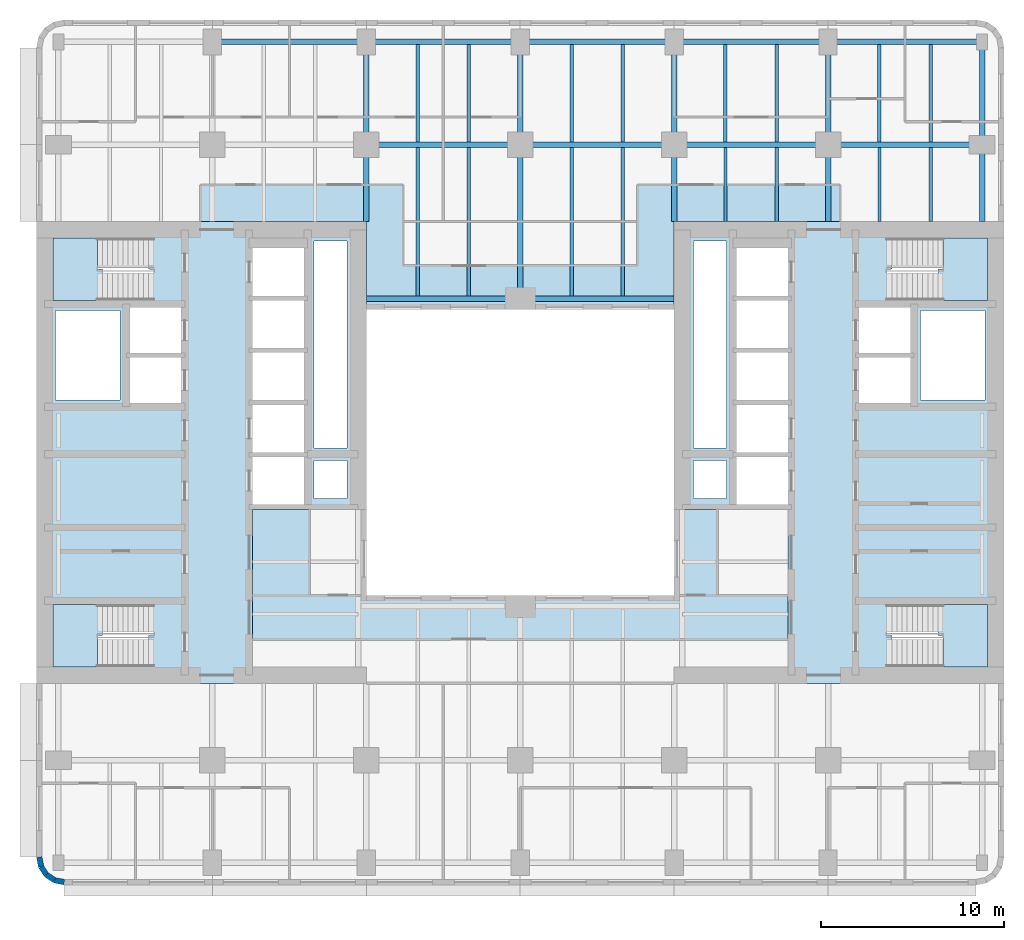
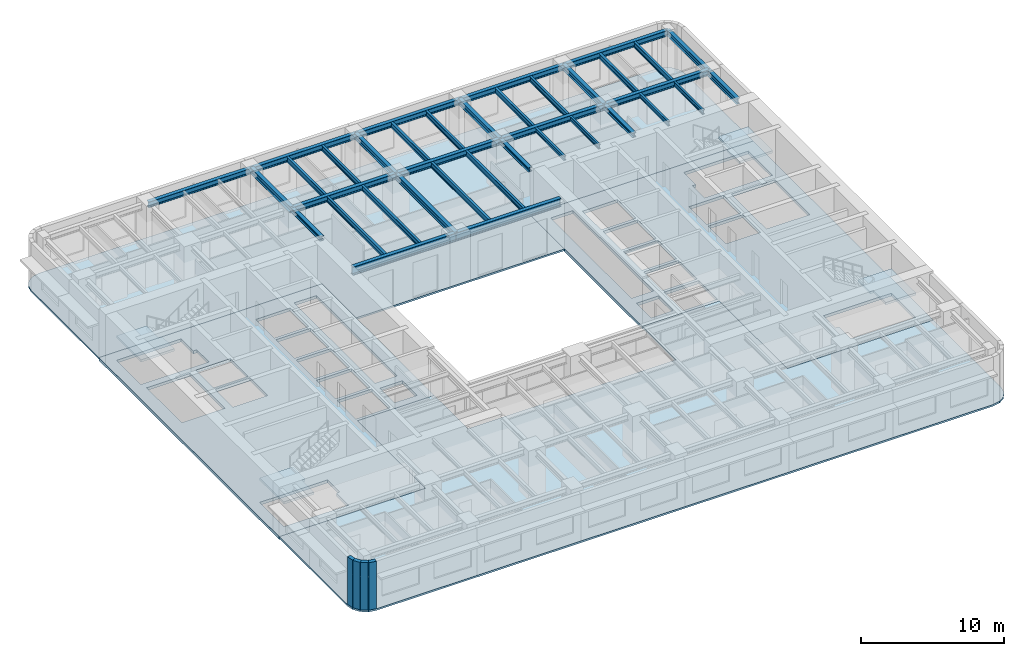
# One storey, part 2 of 11: 37 beams, 8 slabs, 4 walls, 4 elements without a shape of their own.
"""IFC4 building model written with IfcOpenShell, lengths in metres."""

import ifcopenshell
import ifcopenshell.guid

model = None  # the IFC model being written
_history = None  # IfcOwnerHistory: only IFC2X3 demands one
_inside = {}  # id of a spatial element -> (the spatial element, [elements in it])
_under = {}  # id of a project, library or spatial element -> (it, [spatial elements below it])
_declared = {}  # id of a project -> (the project, [libraries it declares])
_typed = {}  # id of a type object -> (the type object, [elements of that type])
_made_of = {}  # id of a material, layer set ... -> (it, [elements and type objects made of it])


def new_model(schema):
    """Start an empty IFC model of exactly this schema.

    Asked for "IFC4X3", IfcOpenShell would pick the latest addendum, in which some entities
    have other attributes; the version numbers below select the first issue.
    IFC2X3 requires an IfcOwnerHistory on every rooted entity: one is made here for all.
    """
    global model, _history
    if schema == "IFC4X3":
        model = ifcopenshell.file(schema_version=(4, 3, 0, 0))
    else:
        model = ifcopenshell.file(schema=schema)
    _inside.clear()
    _under.clear()
    _declared.clear()
    _typed.clear()
    _made_of.clear()
    _history = None
    if model.schema == "IFC2X3":
        org = make("IfcOrganization", Name="unknown")
        user = make(
            "IfcPersonAndOrganization",
            ThePerson=make("IfcPerson", FamilyName="unknown"),
            TheOrganization=org,
        )
        app = make(
            "IfcApplication",
            ApplicationDeveloper=org,
            Version="unknown",
            ApplicationFullName="unknown",
            ApplicationIdentifier="unknown",
        )
        _history = make(
            "IfcOwnerHistory",
            OwningUser=user,
            OwningApplication=app,
            ChangeAction="ADDED",
            CreationDate=0,
        )
    return model


def make(cls, **values):
    """One entity of the class cls with the attributes given. An attribute that is None is left unset."""
    return model.create_entity(
        cls, **{name: value for name, value in values.items() if value is not None}
    )


def rooted(cls, **values):
    """An entity with a GlobalId (a new one), such as an element, a storey or a relation."""
    return make(cls, GlobalId=ifcopenshell.guid.new(), OwnerHistory=_history, **values)


def si_unit(unit_type, name, prefix=None):
    """IfcSIUnit, for example si_unit("LENGTHUNIT", "METRE", prefix="MILLI")."""
    return make("IfcSIUnit", UnitType=unit_type, Prefix=prefix, Name=name)


def assignment(units):
    """IfcUnitAssignment: the units of a project."""
    return None if units is None else make("IfcUnitAssignment", Units=units)


def point(xyz):
    """IfcCartesianPoint."""
    return None if xyz is None else make("IfcCartesianPoint", Coordinates=xyz)


def direction(xyz):
    """IfcDirection."""
    return None if xyz is None else make("IfcDirection", DirectionRatios=xyz)


def frame(location, z_axis=None, x_axis=None):
    """IfcAxis2Placement3D, a coordinate frame: its origin and axes. An axis left out is left unset."""
    return make(
        "IfcAxis2Placement3D",
        Location=point(location),
        Axis=direction(z_axis),
        RefDirection=direction(x_axis),
    )


def frame_2d(location, x_axis=None):
    """IfcAxis2Placement2D, a coordinate frame in the plane: its origin and x axis."""
    return make(
        "IfcAxis2Placement2D", Location=point(location), RefDirection=direction(x_axis)
    )


def origin():
    """The frame at (0, 0, 0) with its axes left unset."""
    return frame((0.0, 0.0, 0.0))


def origin_2d():
    """The frame at (0, 0) in the plane with its x axis left unset."""
    return frame_2d((0.0, 0.0))


def place(relative_to, where):
    """IfcLocalPlacement: puts the frame where relative to a parent placement (None: the world)."""
    return make(
        "IfcLocalPlacement", PlacementRelTo=relative_to, RelativePlacement=where
    )


def context(
    kind, dimensions, precision=None, world=None, true_north=None, identifier=None
):
    """IfcGeometricRepresentationContext, for example the 3D "Model" context."""
    return make(
        "IfcGeometricRepresentationContext",
        ContextIdentifier=identifier,
        ContextType=kind,
        CoordinateSpaceDimension=dimensions,
        Precision=precision,
        WorldCoordinateSystem=world,
        TrueNorth=true_north,
    )


def subcontext(parent, identifier, kind, view, scale=None):
    """IfcGeometricRepresentationSubContext, for example "Body" below "Model"."""
    return make(
        "IfcGeometricRepresentationSubContext",
        ContextIdentifier=identifier,
        ContextType=kind,
        ParentContext=parent,
        TargetScale=scale,
        TargetView=view,
    )


def project(units=None, contexts=None):
    """IfcProject with its units and contexts."""
    return rooted(
        "IfcProject",
        Name="project",
        RepresentationContexts=contexts,
        UnitsInContext=assignment(units),
    )


def spatial(cls, under=None, at=None, **own):
    """A site, building, storey or space (cls), placed at a placement, below another one or the project."""
    s = rooted(cls, ObjectPlacement=at, **own)
    if under is not None:
        _under.setdefault(under.id(), (under, []))[1].append(s)
    return s


def polyline(points):
    """IfcPolyline through the points."""
    return make("IfcPolyline", Points=[point(p) for p in points])


def profile(cls, at=None, kind="AREA", **sizes):
    """A parametric profile (cls). Its sizes go by their IFC names, for example OverallWidth=200.0."""
    return make(cls, ProfileType=kind, Position=at, **sizes)


def rectangle(**sizes):
    """IfcRectangleProfileDef."""
    return profile("IfcRectangleProfileDef", **sizes)


def i_section(**sizes):
    """IfcIShapeProfileDef."""
    return profile("IfcIShapeProfileDef", **sizes)


def outline(outer, holes=None, kind="AREA"):
    """IfcArbitraryClosedProfileDef: a profile drawn as a closed curve; with holes, ...WithVoids."""
    if holes is None:
        return make("IfcArbitraryClosedProfileDef", ProfileType=kind, OuterCurve=outer)
    return make(
        "IfcArbitraryProfileDefWithVoids",
        ProfileType=kind,
        OuterCurve=outer,
        InnerCurves=holes,
    )


def extrude(swept, where, along, depth):
    """IfcExtrudedAreaSolid: the profile swept, set in the frame where, extruded along a direction by depth."""
    return make(
        "IfcExtrudedAreaSolid",
        SweptArea=swept,
        Position=where,
        ExtrudedDirection=direction(along),
        Depth=depth,
    )


def shape(context_of_items, identifier, shape_type, items):
    """IfcShapeRepresentation: the items that make up one representation, for example the "Body"."""
    return make(
        "IfcShapeRepresentation",
        ContextOfItems=context_of_items,
        RepresentationIdentifier=identifier,
        RepresentationType=shape_type,
        Items=items,
    )


def material(Name=None, Category=None):
    """IfcMaterial."""
    return make("IfcMaterial", Name=Name, Category=Category)


def layer(
    of_material, thickness, ventilated=None, Name=None, Category=None, Priority=None
):
    """IfcMaterialLayer: one layer of a wall or slab, of a material (None: an air gap)."""
    return make(
        "IfcMaterialLayer",
        Material=of_material,
        LayerThickness=thickness,
        IsVentilated=ventilated,
        Name=Name,
        Category=Category,
        Priority=Priority,
    )


def layer_set(layers, Name=None):
    """IfcMaterialLayerSet."""
    return make("IfcMaterialLayerSet", MaterialLayers=layers, LayerSetName=Name)


def material_profile(
    of_material, cross_section, Name=None, Category=None, Priority=None
):
    """IfcMaterialProfile: a cross section and its material."""
    return make(
        "IfcMaterialProfile",
        Name=Name,
        Material=of_material,
        Profile=cross_section,
        Priority=Priority,
        Category=Category,
    )


def profile_set(profiles, Name=None, composite=None):
    """IfcMaterialProfileSet."""
    return make(
        "IfcMaterialProfileSet",
        Name=Name,
        MaterialProfiles=profiles,
        CompositeProfile=composite,
    )


def made_of(thing, what):
    """Note that an element or type object is made of a material, layer set ...; save() writes the relation."""
    if what is not None:
        _made_of.setdefault(what.id(), (what, []))[1].append(thing)
    return thing


def type_object(cls, material=None, **own):
    """A type object (cls), such as IfcWallType, which elements share."""
    return made_of(rooted(cls, **own), material)


def element(
    cls,
    number,
    at=None,
    inside=None,
    cuts=None,
    type_object=None,
    material=None,
    context=None,
    identifier="Body",
    shape_type=None,
    held_by="IfcProductDefinitionShape",
    body=None,
    shapes=None,
    **own,
):
    """One element of the class cls, such as IfcWall. Its Tag is "e" and its number.

    at: its placement. inside: the storey or other place that contains it. cuts: it is an
    opening in that element (IfcRelVoidsElement). A single representation is given by context,
    identifier, shape_type and body (its items); several are given by shapes. held_by: the class
    of the entity that holds the representations. save() writes the other relations.
    """
    e = rooted(cls, Tag="e%d" % number, ObjectPlacement=at, **own)
    if body is not None:
        shapes = [shape(context, identifier, shape_type, body)]
    if shapes is not None:
        e.Representation = make(held_by, Representations=shapes)
    if inside is not None:
        _inside.setdefault(inside.id(), (inside, []))[1].append(e)
    if cuts is not None:
        rooted(
            "IfcRelVoidsElement", RelatingBuildingElement=cuts, RelatedOpeningElement=e
        )
    if type_object is not None:
        _typed.setdefault(type_object.id(), (type_object, []))[1].append(e)
    return made_of(e, material)


def aggregate(whole, parts):
    """IfcRelAggregates: a whole, such as a stair, and the parts it consists of."""
    return rooted("IfcRelAggregates", RelatingObject=whole, RelatedObjects=parts)


def save(model, path):
    """Write the relations noted so far, then the file.

    IfcRelAggregates (storeys below a building ...), IfcRelContainedInSpatialStructure (elements
    in a storey), IfcRelDefinesByType, IfcRelAssociatesMaterial and IfcRelDeclares: one each for
    every whole, place, type object, material and project.
    """
    for whole, parts in _under.values():
        aggregate(whole, parts)
    for where, things in _inside.values():
        rooted(
            "IfcRelContainedInSpatialStructure",
            RelatedElements=things,
            RelatingStructure=where,
        )
    for kind, things in _typed.values():
        rooted("IfcRelDefinesByType", RelatedObjects=things, RelatingType=kind)
    for what, things in _made_of.values():
        rooted("IfcRelAssociatesMaterial", RelatedObjects=things, RelatingMaterial=what)
    for by, libraries in _declared.values():
        rooted("IfcRelDeclares", RelatingContext=by, RelatedDefinitions=libraries)
    model.write(path)


model = new_model("IFC4")

# Units and contexts
model_context = context("Model", 3, precision=1e-05, world=origin(), true_north=direction((0.0, 1.0)))
body_context = subcontext(model_context, "Body", "Model", "MODEL_VIEW")
ifc_project = project(units=[si_unit("LENGTHUNIT", "METRE"), si_unit("AREAUNIT", "SQUARE_METRE"), si_unit("VOLUMEUNIT", "CUBIC_METRE"), si_unit("PLANEANGLEUNIT", "RADIAN"), si_unit("MASSUNIT", "GRAM", prefix="KILO")], contexts=[model_context])

# Site, building, storey
site_placement = place(None, origin())
site = spatial("IfcSite", under=ifc_project, at=site_placement, CompositionType="ELEMENT")
building_placement = place(site_placement, origin())
building = spatial("IfcBuilding", under=site, at=building_placement, Name="Claustro Exchange Tower", CompositionType="ELEMENT")
storey_placement = place(building_placement, frame((0.0, 0.0, 142.800048828125)))
storey = spatial("IfcBuildingStorey", under=building, at=storey_placement, Name="L32", CompositionType="ELEMENT", Elevation=142.800048828125)

# Beams
ifc_material_1 = material(Name="Steel S355", Category="steel")
ifc_material_profile_1 = material_profile(ifc_material_1, i_section(OverallWidth=0.300048828125, OverallDepth=0.68994140625, WebThickness=0.014404296875, FlangeThickness=0.027099609375, FilletRadius=0.027099609375, at=origin_2d()), Name="HE 700 A")
ifc_profile_set_1 = profile_set([ifc_material_profile_1], Name="Steel S355")
beam_type_1 = type_object("IfcBeamType", Name="B13 HE 700 A light well edge girder", PredefinedType="BEAM", material=ifc_profile_set_1)
beam_1_placement = place(storey_placement, frame((16.800048828125, 33.60009765625, 3.704833984375), z_axis=(1.0, 0.0, 0.0), x_axis=(0.0, 1.0, 0.0)))
element("IfcBeam", 1, at=beam_1_placement, inside=storey, type_object=beam_type_1, Name="Beam B13 L33", PredefinedType="BEAM", context=body_context, shape_type="SweptSolid", body=[
    extrude(i_section(OverallWidth=0.300048828125, OverallDepth=0.68994140625, WebThickness=0.014404296875, FlangeThickness=0.027099609375, FilletRadius=0.027099609375, at=origin_2d()), origin(), (0.0, 0.0, 1.0), 8.39990234375),
])
beam_2_placement = place(storey_placement, frame((25.199951171875, 33.60009765625, 3.704833984375), z_axis=(1.0, 0.0, 0.0), x_axis=(0.0, 1.0, 0.0)))
element("IfcBeam", 2, at=beam_2_placement, inside=storey, type_object=beam_type_1, Name="Beam B13 L33", PredefinedType="BEAM", context=body_context, shape_type="SweptSolid", body=[
    extrude(i_section(OverallWidth=0.300048828125, OverallDepth=0.68994140625, WebThickness=0.014404296875, FlangeThickness=0.027099609375, FilletRadius=0.027099609375, at=origin_2d()), origin(), (0.0, 0.0, 1.0), 8.400146484375),
])
ifc_material_2 = material(Name="Steel S355", Category="steel")
ifc_material_profile_2 = material_profile(ifc_material_2, i_section(OverallWidth=0.169921875, OverallDepth=0.360107421875, WebThickness=0.008056640625, FlangeThickness=0.0126953125, FilletRadius=0.01806640625, at=origin_2d()), Name="IPE 360")
ifc_profile_set_2 = profile_set([ifc_material_profile_2], Name="Steel S355")
beam_type_2 = type_object("IfcBeamType", Name="B16 IPE 360 short-span beam", PredefinedType="BEAM", material=ifc_profile_set_2)
for number, where, z_axis, x_axis, name in (
    (3, (36.39990234375, 37.7900390625, 3.869873046875), (0.0, 1.0, 0.0), (-1.0, 0.0, 0.0), "Beam B16 L33"),
    (4, (39.199951171875, 37.7900390625, 3.869873046875), (0.0, 1.0, 0.0), (-1.0, 0.0, 0.0), "Beam B16 L33"),
    (5, (44.800048828125, 37.7900390625, 3.869873046875), (0.0, 1.0, 0.0), (-1.0, 0.0, 0.0), "Beam B16 L33"),
    (6, (47.60009765625, 37.7900390625, 3.869873046875), (0.0, 1.0, 0.0), (-1.0, 0.0, 0.0), "Beam B16 L33"),
):
    element("IfcBeam", number, at=place(storey_placement, frame(where, z_axis=z_axis, x_axis=x_axis)), inside=storey, type_object=beam_type_2, Name=name, PredefinedType="BEAM", context=body_context, shape_type="SweptSolid", body=[
        extrude(i_section(OverallWidth=0.169921875, OverallDepth=0.360107421875, WebThickness=0.008056640625, FlangeThickness=0.0126953125, FilletRadius=0.01806640625, at=origin_2d()), origin(), (0.0, 0.0, 1.0), 4.06005859375),
    ])
ifc_material_3 = material(Name="Steel S355", Category="steel")
ifc_material_profile_3 = material_profile(ifc_material_3, i_section(OverallWidth=0.300048828125, OverallDepth=0.360107421875, WebThickness=0.012451171875, FlangeThickness=0.0224609375, FilletRadius=0.027099609375, at=origin_2d()), Name="HE 360 B")
ifc_profile_set_3 = profile_set([ifc_material_profile_3], Name="Steel S355")
beam_type_3 = type_object("IfcBeamType", Name="B29 HE 360 B column to core link beam", PredefinedType="BEAM", material=ifc_profile_set_3)
for number, where, z_axis, x_axis, name in (
    (7, (16.800048828125, 37.800048828125, 3.869873046875), (0.0, 1.0, 0.0), (-1.0, 0.0, 0.0), "Beam B29 L33"),
    (8, (33.60009765625, 37.800048828125, 3.869873046875), (0.0, 1.0, 0.0), (-1.0, 0.0, 0.0), "Beam B29 L33"),
    (9, (42.0, 37.800048828125, 3.869873046875), (0.0, 1.0, 0.0), (-1.0, 0.0, 0.0), "Beam B29 L33"),
):
    element("IfcBeam", number, at=place(storey_placement, frame(where, z_axis=z_axis, x_axis=x_axis)), inside=storey, type_object=beam_type_3, Name=name, PredefinedType="BEAM", context=body_context, shape_type="SweptSolid", body=[
        extrude(i_section(OverallWidth=0.300048828125, OverallDepth=0.360107421875, WebThickness=0.012451171875, FlangeThickness=0.0224609375, FilletRadius=0.027099609375, at=origin_2d()), origin(), (0.0, 0.0, 1.0), 4.199951171875),
    ])
ifc_material_4 = material(Name="Steel S355", Category="steel")
ifc_material_profile_4 = material_profile(ifc_material_4, i_section(OverallWidth=0.300048828125, OverallDepth=0.5, WebThickness=0.014404296875, FlangeThickness=0.028076171875, FilletRadius=0.027099609375, at=origin_2d()), Name="HE 500 B")
ifc_profile_set_4 = profile_set([ifc_material_profile_4], Name="Steel S355")
beam_type_4 = type_object("IfcBeamType", Name="B7 HE 500 B floor girder", PredefinedType="BEAM", material=ifc_profile_set_4)
beam_3_placement = place(storey_placement, frame((16.800048828125, 42.0, 3.800048828125), z_axis=(0.0, 1.0, 0.0), x_axis=(-1.0, 0.0, 0.0)))
element("IfcBeam", 10, at=beam_3_placement, inside=storey, type_object=beam_type_4, Name="Beam B7 L33", PredefinedType="BEAM", context=body_context, shape_type="SweptSolid", body=[
    extrude(i_section(OverallWidth=0.300048828125, OverallDepth=0.5, WebThickness=0.014404296875, FlangeThickness=0.028076171875, FilletRadius=0.027099609375, at=origin_2d()), origin(), (0.0, 0.0, 1.0), 5.60009765625),
])
beam_4_placement = place(storey_placement, frame((25.199951171875, 33.60009765625, 3.800048828125), z_axis=(0.0, 1.0, 0.0), x_axis=(-1.0, 0.0, 0.0)))
element("IfcBeam", 11, at=beam_4_placement, inside=storey, type_object=beam_type_4, Name="Beam B7 L33", PredefinedType="BEAM", context=body_context, shape_type="SweptSolid", body=[
    extrude(i_section(OverallWidth=0.300048828125, OverallDepth=0.5, WebThickness=0.014404296875, FlangeThickness=0.028076171875, FilletRadius=0.027099609375, at=origin_2d()), origin(), (0.0, 0.0, 1.0), 8.39990234375),
])
for number, where, z_axis, x_axis, name in (
    (12, (25.199951171875, 42.0, 3.800048828125), (0.0, 1.0, 0.0), (-1.0, 0.0, 0.0), "Beam B7 L33"),
    (13, (33.60009765625, 42.0, 3.800048828125), (0.0, 1.0, 0.0), (-1.0, 0.0, 0.0), "Beam B7 L33"),
    (14, (42.0, 42.0, 3.800048828125), (0.0, 1.0, 0.0), (-1.0, 0.0, 0.0), "Beam B7 L33"),
):
    element("IfcBeam", number, at=place(storey_placement, frame(where, z_axis=z_axis, x_axis=x_axis)), inside=storey, type_object=beam_type_4, Name=name, PredefinedType="BEAM", context=body_context, shape_type="SweptSolid", body=[
        extrude(i_section(OverallWidth=0.300048828125, OverallDepth=0.5, WebThickness=0.014404296875, FlangeThickness=0.028076171875, FilletRadius=0.027099609375, at=origin_2d()), origin(), (0.0, 0.0, 1.0), 5.60009765625),
    ])
beam_5_placement = place(storey_placement, frame((16.800048828125, 42.0, 3.800048828125), z_axis=(1.0, 0.0, 0.0), x_axis=(0.0, 1.0, 0.0)))
element("IfcBeam", 15, at=beam_5_placement, inside=storey, type_object=beam_type_4, Name="Beam B7 L33", PredefinedType="BEAM", context=body_context, shape_type="SweptSolid", body=[
    extrude(i_section(OverallWidth=0.300048828125, OverallDepth=0.5, WebThickness=0.014404296875, FlangeThickness=0.028076171875, FilletRadius=0.027099609375, at=origin_2d()), origin(), (0.0, 0.0, 1.0), 8.39990234375),
])
beam_6_placement = place(storey_placement, frame((25.199951171875, 42.0, 3.800048828125), z_axis=(1.0, 0.0, 0.0), x_axis=(0.0, 1.0, 0.0)))
element("IfcBeam", 16, at=beam_6_placement, inside=storey, type_object=beam_type_4, Name="Beam B7 L33", PredefinedType="BEAM", context=body_context, shape_type="SweptSolid", body=[
    extrude(i_section(OverallWidth=0.300048828125, OverallDepth=0.5, WebThickness=0.014404296875, FlangeThickness=0.028076171875, FilletRadius=0.027099609375, at=origin_2d()), origin(), (0.0, 0.0, 1.0), 8.400146484375),
])
for number, where, z_axis, x_axis, name in (
    (17, (33.60009765625, 42.0, 3.800048828125), (1.0, 0.0, 0.0), (0.0, 1.0, 0.0), "Beam B7 L33"),
    (18, (42.0, 42.0, 3.800048828125), (1.0, 0.0, 0.0), (0.0, 1.0, 0.0), "Beam B7 L33"),
):
    element("IfcBeam", number, at=place(storey_placement, frame(where, z_axis=z_axis, x_axis=x_axis)), inside=storey, type_object=beam_type_4, Name=name, PredefinedType="BEAM", context=body_context, shape_type="SweptSolid", body=[
        extrude(i_section(OverallWidth=0.300048828125, OverallDepth=0.5, WebThickness=0.014404296875, FlangeThickness=0.028076171875, FilletRadius=0.027099609375, at=origin_2d()), origin(), (0.0, 0.0, 1.0), 8.39990234375),
    ])
ifc_material_5 = material(Name="Steel S355", Category="steel")
ifc_material_profile_5 = material_profile(ifc_material_5, i_section(OverallWidth=0.18994140625, OverallDepth=0.449951171875, WebThickness=0.009521484375, FlangeThickness=0.0146484375, FilletRadius=0.02099609375, at=origin_2d()), Name="IPE 450")
ifc_profile_set_5 = profile_set([ifc_material_profile_5], Name="Steel S355")
beam_type_5 = type_object("IfcBeamType", Name="B8 IPE 450 secondary beam", PredefinedType="BEAM", material=ifc_profile_set_5)
for number, where, z_axis, x_axis, name in (
    (19, (19.60009765625, 33.75, 3.824951171875), (0.0, 1.0, 0.0), (-1.0, 0.0, 0.0), "Beam B8 L33"),
    (20, (22.39990234375, 33.75, 3.824951171875), (0.0, 1.0, 0.0), (-1.0, 0.0, 0.0), "Beam B8 L33"),
):
    element("IfcBeam", number, at=place(storey_placement, frame(where, z_axis=z_axis, x_axis=x_axis)), inside=storey, type_object=beam_type_5, Name=name, PredefinedType="BEAM", context=body_context, shape_type="SweptSolid", body=[
        extrude(i_section(OverallWidth=0.18994140625, OverallDepth=0.449951171875, WebThickness=0.009521484375, FlangeThickness=0.0146484375, FilletRadius=0.02099609375, at=origin_2d()), origin(), (0.0, 0.0, 1.0), 8.10009765625),
    ])
for number, where, z_axis, x_axis, name in (
    (21, (19.60009765625, 42.14990234375, 3.824951171875), (0.0, 1.0, 0.0), (-1.0, 0.0, 0.0), "Beam B8 L33"),
    (22, (22.39990234375, 42.14990234375, 3.824951171875), (0.0, 1.0, 0.0), (-1.0, 0.0, 0.0), "Beam B8 L33"),
):
    element("IfcBeam", number, at=place(storey_placement, frame(where, z_axis=z_axis, x_axis=x_axis)), inside=storey, type_object=beam_type_5, Name=name, PredefinedType="BEAM", context=body_context, shape_type="SweptSolid", body=[
        extrude(i_section(OverallWidth=0.18994140625, OverallDepth=0.449951171875, WebThickness=0.009521484375, FlangeThickness=0.0146484375, FilletRadius=0.02099609375, at=origin_2d()), origin(), (0.0, 0.0, 1.0), 5.300048828125),
    ])
for number, where, z_axis, x_axis, name in (
    (23, (28.0, 33.75, 3.824951171875), (0.0, 1.0, 0.0), (-1.0, 0.0, 0.0), "Beam B8 L33"),
    (24, (30.800048828125, 33.75, 3.824951171875), (0.0, 1.0, 0.0), (-1.0, 0.0, 0.0), "Beam B8 L33"),
):
    element("IfcBeam", number, at=place(storey_placement, frame(where, z_axis=z_axis, x_axis=x_axis)), inside=storey, type_object=beam_type_5, Name=name, PredefinedType="BEAM", context=body_context, shape_type="SweptSolid", body=[
        extrude(i_section(OverallWidth=0.18994140625, OverallDepth=0.449951171875, WebThickness=0.009521484375, FlangeThickness=0.0146484375, FilletRadius=0.02099609375, at=origin_2d()), origin(), (0.0, 0.0, 1.0), 8.10009765625),
    ])
for number, where, z_axis, x_axis, name in (
    (25, (28.0, 42.14990234375, 3.824951171875), (0.0, 1.0, 0.0), (-1.0, 0.0, 0.0), "Beam B8 L33"),
    (26, (30.800048828125, 42.14990234375, 3.824951171875), (0.0, 1.0, 0.0), (-1.0, 0.0, 0.0), "Beam B8 L33"),
    (27, (36.39990234375, 42.14990234375, 3.824951171875), (0.0, 1.0, 0.0), (-1.0, 0.0, 0.0), "Beam B8 L33"),
    (28, (39.199951171875, 42.14990234375, 3.824951171875), (0.0, 1.0, 0.0), (-1.0, 0.0, 0.0), "Beam B8 L33"),
    (29, (44.800048828125, 42.14990234375, 3.824951171875), (0.0, 1.0, 0.0), (-1.0, 0.0, 0.0), "Beam B8 L33"),
    (30, (47.60009765625, 42.14990234375, 3.824951171875), (0.0, 1.0, 0.0), (-1.0, 0.0, 0.0), "Beam B8 L33"),
):
    element("IfcBeam", number, at=place(storey_placement, frame(where, z_axis=z_axis, x_axis=x_axis)), inside=storey, type_object=beam_type_5, Name=name, PredefinedType="BEAM", context=body_context, shape_type="SweptSolid", body=[
        extrude(i_section(OverallWidth=0.18994140625, OverallDepth=0.449951171875, WebThickness=0.009521484375, FlangeThickness=0.0146484375, FilletRadius=0.02099609375, at=origin_2d()), origin(), (0.0, 0.0, 1.0), 5.300048828125),
    ])
ifc_material_6 = material(Name="Steel S355", Category="steel")
ifc_material_profile_6 = material_profile(ifc_material_6, i_section(OverallWidth=0.300048828125, OverallDepth=0.489990234375, WebThickness=0.011962890625, FlangeThickness=0.02294921875, FilletRadius=0.027099609375, at=origin_2d()), Name="HE 500 A")
ifc_profile_set_6 = profile_set([ifc_material_profile_6], Name="Steel S355")
beam_type_6 = type_object("IfcBeamType", Name="B9 HE 500 A spandrel edge girder", PredefinedType="SPANDREL", material=ifc_profile_set_6)
beam_7_placement = place(storey_placement, frame((50.39990234375, 37.800048828125, 3.804931640625), z_axis=(0.0, 1.0, 0.0), x_axis=(-1.0, 0.0, 0.0)))
element("IfcBeam", 31, at=beam_7_placement, inside=storey, type_object=beam_type_6, Name="Beam B9 L33", PredefinedType="SPANDREL", context=body_context, shape_type="SweptSolid", body=[
    extrude(i_section(OverallWidth=0.300048828125, OverallDepth=0.489990234375, WebThickness=0.011962890625, FlangeThickness=0.02294921875, FilletRadius=0.027099609375, at=origin_2d()), origin(), (0.0, 0.0, 1.0), 4.199951171875),
])
beam_8_placement = place(storey_placement, frame((50.39990234375, 42.0, 3.804931640625), z_axis=(0.0, 1.0, 0.0), x_axis=(-1.0, 0.0, 0.0)))
element("IfcBeam", 32, at=beam_8_placement, inside=storey, type_object=beam_type_6, Name="Beam B9 L33", PredefinedType="SPANDREL", context=body_context, shape_type="SweptSolid", body=[
    extrude(i_section(OverallWidth=0.300048828125, OverallDepth=0.489990234375, WebThickness=0.011962890625, FlangeThickness=0.02294921875, FilletRadius=0.027099609375, at=origin_2d()), origin(), (0.0, 0.0, 1.0), 5.60009765625),
])
beam_9_placement = place(storey_placement, frame((8.39990234375, 47.60009765625, 3.804931640625), z_axis=(1.0, 0.0, 0.0), x_axis=(0.0, 1.0, 0.0)))
element("IfcBeam", 33, at=beam_9_placement, inside=storey, type_object=beam_type_6, Name="Beam B9 L33", PredefinedType="SPANDREL", context=body_context, shape_type="SweptSolid", body=[
    extrude(i_section(OverallWidth=0.300048828125, OverallDepth=0.489990234375, WebThickness=0.011962890625, FlangeThickness=0.02294921875, FilletRadius=0.027099609375, at=origin_2d()), origin(), (0.0, 0.0, 1.0), 8.400146484375),
])
beam_10_placement = place(storey_placement, frame((16.800048828125, 47.60009765625, 3.804931640625), z_axis=(1.0, 0.0, 0.0), x_axis=(0.0, 1.0, 0.0)))
element("IfcBeam", 34, at=beam_10_placement, inside=storey, type_object=beam_type_6, Name="Beam B9 L33", PredefinedType="SPANDREL", context=body_context, shape_type="SweptSolid", body=[
    extrude(i_section(OverallWidth=0.300048828125, OverallDepth=0.489990234375, WebThickness=0.011962890625, FlangeThickness=0.02294921875, FilletRadius=0.027099609375, at=origin_2d()), origin(), (0.0, 0.0, 1.0), 8.39990234375),
])
beam_11_placement = place(storey_placement, frame((25.199951171875, 47.60009765625, 3.804931640625), z_axis=(1.0, 0.0, 0.0), x_axis=(0.0, 1.0, 0.0)))
element("IfcBeam", 35, at=beam_11_placement, inside=storey, type_object=beam_type_6, Name="Beam B9 L33", PredefinedType="SPANDREL", context=body_context, shape_type="SweptSolid", body=[
    extrude(i_section(OverallWidth=0.300048828125, OverallDepth=0.489990234375, WebThickness=0.011962890625, FlangeThickness=0.02294921875, FilletRadius=0.027099609375, at=origin_2d()), origin(), (0.0, 0.0, 1.0), 8.400146484375),
])
for number, where, z_axis, x_axis, name in (
    (36, (33.60009765625, 47.60009765625, 3.804931640625), (1.0, 0.0, 0.0), (0.0, 1.0, 0.0), "Beam B9 L33"),
    (37, (42.0, 47.60009765625, 3.804931640625), (1.0, 0.0, 0.0), (0.0, 1.0, 0.0), "Beam B9 L33"),
):
    element("IfcBeam", number, at=place(storey_placement, frame(where, z_axis=z_axis, x_axis=x_axis)), inside=storey, type_object=beam_type_6, Name=name, PredefinedType="SPANDREL", context=body_context, shape_type="SweptSolid", body=[
        extrude(i_section(OverallWidth=0.300048828125, OverallDepth=0.489990234375, WebThickness=0.011962890625, FlangeThickness=0.02294921875, FilletRadius=0.027099609375, at=origin_2d()), origin(), (0.0, 0.0, 1.0), 8.39990234375),
    ])

# Slabs
ifc_material_7 = material(Name="Concrete HA-50 (C50/60)", Category="concrete")
ifc_layer_1 = layer(ifc_material_7, 0.14990234375)
ifc_layer_set_1 = layer_set([ifc_layer_1], Name="Concrete HA-50 (C50/60)")
slab_type_1 = type_object("IfcSlabType", Name="S2 150 composite floor slab", PredefinedType="FLOOR", material=ifc_layer_set_1)
slab_1_placement = place(storey_placement, frame((0.0, 0.0, -0.150146484375)))
element("IfcSlab", 38, at=slab_1_placement, inside=storey, type_object=slab_type_1, Name="Floor slab S2 S L32", PredefinedType="FLOOR", context=body_context, shape_type="SweptSolid", body=[
    extrude(outline(polyline([(-0.27392578125, 1.714111328125), (0.300048828125, 1.60009765625), (50.10009765625, 1.60009765625), (50.674072265625, 1.714111328125), (51.16064453125, 2.039306640625), (51.48583984375, 2.52587890625), (51.60009765625, 3.10009765625), (51.60009765625, 12.60009765625), (39.800048828125, 12.60009765625), (39.800048828125, 22.10009765625), (33.60009765625, 22.10009765625), (33.60009765625, 17.39990234375), (16.800048828125, 17.39990234375), (16.800048828125, 22.10009765625), (10.60009765625, 22.10009765625), (10.60009765625, 12.60009765625), (-1.199951171875, 12.60009765625), (-1.199951171875, 3.10009765625), (-1.085693359375, 2.52587890625), (-0.7607421875, 2.039306640625), (-0.27392578125, 1.714111328125)])), origin(), (0.0, 0.0, 1.0), 0.150146484375),
])
slab_2_placement = place(storey_placement, frame((0.0, 0.0, -0.150146484375)))
element("IfcSlab", 39, at=slab_2_placement, inside=storey, type_object=slab_type_1, Name="Floor slab S2 N L32", PredefinedType="FLOOR", context=body_context, shape_type="SweptSolid", body=[
    extrude(outline(polyline([(16.800048828125, 37.800048828125), (16.800048828125, 33.0), (33.60009765625, 33.0), (33.60009765625, 37.800048828125), (51.60009765625, 37.800048828125), (51.60009765625, 47.300048828125), (51.48583984375, 47.8740234375), (51.16064453125, 48.360595703125), (50.674072265625, 48.685791015625), (50.10009765625, 48.800048828125), (0.300048828125, 48.800048828125), (-0.27392578125, 48.685791015625), (-0.7607421875, 48.360595703125), (-1.085693359375, 47.8740234375), (-1.199951171875, 47.300048828125), (-1.199951171875, 37.800048828125), (16.800048828125, 37.800048828125)])), origin(), (0.0, 0.0, 1.0), 0.150146484375),
])
ifc_material_8 = material(Name="Concrete HA-50 (C50/60)", Category="concrete")
ifc_layer_2 = layer(ifc_material_8, 0.25)
ifc_layer_set_2 = layer_set([ifc_layer_2], Name="Concrete HA-50 (C50/60)")
slab_type_2 = type_object("IfcSlabType", Name="S7 250 core floor slab", PredefinedType="FLOOR", material=ifc_layer_set_2)
slab_3_placement = place(storey_placement, frame((0.0, 0.0, -0.25)))
element("IfcSlab", 40, at=slab_3_placement, inside=storey, type_object=slab_type_2, Name="Core floor slab S7 W core L32", PredefinedType="FLOOR", context=body_context, shape_type="SweptSolid", body=[
    extrude(outline(polyline([(-1.199951171875, 37.800048828125), (-1.199951171875, 12.60009765625), (10.60009765625, 12.60009765625), (10.60009765625, 22.10009765625), (16.800048828125, 22.10009765625), (16.800048828125, 37.800048828125), (-1.199951171875, 37.800048828125)]), holes=[polyline([(13.949951171875, 24.75), (15.75, 24.75), (15.75, 22.699951171875), (13.949951171875, 22.699951171875), (13.949951171875, 24.75)]), polyline([(13.949951171875, 36.75), (15.75, 36.75), (15.75, 25.449951171875), (13.949951171875, 25.449951171875), (13.949951171875, 36.75)]), polyline([(13.39990234375, 24.949951171875), (13.39990234375, 22.35009765625), (10.60009765625, 22.35009765625), (10.60009765625, 24.949951171875), (13.39990234375, 24.949951171875)]), polyline([(13.39990234375, 27.800048828125), (13.39990234375, 25.199951171875), (10.60009765625, 25.199951171875), (10.60009765625, 27.800048828125), (13.39990234375, 27.800048828125)]), polyline([(13.39990234375, 30.64990234375), (13.39990234375, 28.050048828125), (10.60009765625, 28.050048828125), (10.60009765625, 30.64990234375), (13.39990234375, 30.64990234375)]), polyline([(13.39990234375, 33.5), (13.39990234375, 30.89990234375), (10.60009765625, 30.89990234375), (10.60009765625, 33.5), (13.39990234375, 33.5)]), polyline([(13.39990234375, 36.35009765625), (13.39990234375, 33.75), (10.60009765625, 33.75), (10.60009765625, 36.35009765625), (13.39990234375, 36.35009765625)]), polyline([(6.699951171875, 30.375), (6.699951171875, 27.89990234375), (3.89990234375, 27.89990234375), (3.89990234375, 30.375), (6.699951171875, 30.375)]), polyline([(6.699951171875, 33.10009765625), (6.699951171875, 30.625), (3.89990234375, 30.625), (3.89990234375, 33.10009765625), (6.699951171875, 33.10009765625)]), polyline([(-0.300048828125, 15.199951171875), (-0.300048828125, 16.89990234375), (5.195068359375, 16.89990234375), (5.195068359375, 15.199951171875), (4.919921875, 15.199951171875), (4.919921875, 13.5), (-0.300048828125, 13.5), (-0.300048828125, 15.199951171875)]), polyline([(-0.300048828125, 35.199951171875), (-0.300048828125, 36.89990234375), (4.919921875, 36.89990234375), (4.919921875, 35.199951171875), (5.195068359375, 35.199951171875), (5.195068359375, 33.5), (-0.300048828125, 33.5), (-0.300048828125, 35.199951171875)]), polyline([(-0.14990234375, 32.949951171875), (3.35009765625, 32.949951171875), (3.35009765625, 28.050048828125), (-0.14990234375, 28.050048828125), (-0.14990234375, 32.949951171875)])]), origin(), (0.0, 0.0, 1.0), 0.25),
])
slab_4_placement = place(storey_placement, frame((0.0, 0.0, -0.25)))
element("IfcSlab", 41, at=slab_4_placement, inside=storey, type_object=slab_type_2, Name="Core floor slab S7 E core L32", PredefinedType="FLOOR", context=body_context, shape_type="SweptSolid", body=[
    extrude(outline(polyline([(51.60009765625, 37.800048828125), (33.60009765625, 37.800048828125), (33.60009765625, 22.10009765625), (39.800048828125, 22.10009765625), (39.800048828125, 12.60009765625), (51.60009765625, 12.60009765625), (51.60009765625, 37.800048828125)]), holes=[polyline([(45.47998046875, 15.199951171875), (45.205078125, 15.199951171875), (45.205078125, 16.89990234375), (50.699951171875, 16.89990234375), (50.699951171875, 15.199951171875), (50.699951171875, 13.5), (45.47998046875, 13.5), (45.47998046875, 15.199951171875)]), polyline([(45.47998046875, 35.199951171875), (45.47998046875, 36.89990234375), (50.699951171875, 36.89990234375), (50.699951171875, 35.199951171875), (50.699951171875, 33.5), (45.205078125, 33.5), (45.205078125, 35.199951171875), (45.47998046875, 35.199951171875)]), polyline([(50.550048828125, 32.949951171875), (50.550048828125, 28.050048828125), (47.050048828125, 28.050048828125), (47.050048828125, 32.949951171875), (50.550048828125, 32.949951171875)]), polyline([(43.699951171875, 33.10009765625), (46.5, 33.10009765625), (46.5, 30.625), (43.699951171875, 30.625), (43.699951171875, 33.10009765625)]), polyline([(46.5, 30.375), (46.5, 27.89990234375), (43.699951171875, 27.89990234375), (43.699951171875, 30.375), (46.5, 30.375)]), polyline([(37.0, 24.949951171875), (39.800048828125, 24.949951171875), (39.800048828125, 22.35009765625), (37.0, 22.35009765625), (37.0, 24.949951171875)]), polyline([(37.0, 30.64990234375), (39.800048828125, 30.64990234375), (39.800048828125, 28.050048828125), (37.0, 28.050048828125), (37.0, 30.64990234375)]), polyline([(39.800048828125, 27.800048828125), (39.800048828125, 25.199951171875), (37.0, 25.199951171875), (37.0, 27.800048828125), (39.800048828125, 27.800048828125)]), polyline([(39.800048828125, 33.5), (39.800048828125, 30.89990234375), (37.0, 30.89990234375), (37.0, 33.5), (39.800048828125, 33.5)]), polyline([(39.800048828125, 36.35009765625), (39.800048828125, 33.75), (37.0, 33.75), (37.0, 36.35009765625), (39.800048828125, 36.35009765625)]), polyline([(36.449951171875, 24.75), (36.449951171875, 22.699951171875), (34.64990234375, 22.699951171875), (34.64990234375, 24.75), (36.449951171875, 24.75)]), polyline([(36.449951171875, 36.75), (36.449951171875, 25.449951171875), (34.64990234375, 25.449951171875), (34.64990234375, 36.75), (36.449951171875, 36.75)])]), origin(), (0.0, 0.0, 1.0), 0.25),
])

# Stair, slab
ifc_material_9 = material(Name="Concrete HA-30 (C30/37), precast", Category="concrete")
stair_type = type_object("IfcStairType", Name="ST1 half-turn stair, 24 risers of 175", PredefinedType="HALF_TURN_STAIR", material=ifc_material_9)
stair_1_placement = place(storey_placement, origin())
stair_1 = element("IfcStair", 42, at=stair_1_placement, inside=storey, type_object=stair_type, Name="Stair STWA L32", PredefinedType="HALF_TURN_STAIR")
ifc_material_10 = material(Name="Concrete HA-30 (C30/37), precast", Category="concrete")
ifc_layer_3 = layer(ifc_material_10, 0.199951171875)
ifc_layer_set_3 = layer_set([ifc_layer_3], Name="Concrete HA-30 (C30/37), precast")
slab_type_3 = type_object("IfcSlabType", Name="S9 200 stair landing", PredefinedType="LANDING", material=ifc_layer_set_3)
slab_5_placement = place(storey_placement, frame((0.0, 0.0, 1.89990234375)))
slab_5 = element("IfcSlab", 43, at=slab_5_placement, type_object=slab_type_3, Name="STWA landing 1", PredefinedType="LANDING", context=body_context, shape_type="SweptSolid", body=[
    extrude(outline(polyline([(2.125, 13.5), (-0.300048828125, 13.5), (-0.300048828125, 16.89990234375), (2.1201171875, 16.89990234375), (2.125, 16.89990234375), (2.39990234375, 16.89990234375), (2.39990234375, 15.199951171875), (2.125, 15.199951171875), (2.125, 13.5)])), origin(), (0.0, 0.0, 1.0), 0.199951171875),
])
aggregate(stair_1, [slab_5])

stair_2_placement = place(storey_placement, origin())
stair_2 = element("IfcStair", 44, at=stair_2_placement, inside=storey, type_object=stair_type, Name="Stair STWB L32", PredefinedType="HALF_TURN_STAIR")
slab_6_placement = place(storey_placement, frame((0.0, 0.0, 1.89990234375)))
slab_6 = element("IfcSlab", 45, at=slab_6_placement, type_object=slab_type_3, Name="STWB landing 1", PredefinedType="LANDING", context=body_context, shape_type="SweptSolid", body=[
    extrude(outline(polyline([(2.39990234375, 35.199951171875), (2.39990234375, 33.5), (2.125, 33.5), (2.1201171875, 33.5), (-0.300048828125, 33.5), (-0.300048828125, 36.89990234375), (2.125, 36.89990234375), (2.125, 35.199951171875), (2.39990234375, 35.199951171875)])), origin(), (0.0, 0.0, 1.0), 0.199951171875),
])
aggregate(stair_2, [slab_6])

stair_3_placement = place(storey_placement, origin())
stair_3 = element("IfcStair", 46, at=stair_3_placement, inside=storey, type_object=stair_type, Name="Stair STEA L32", PredefinedType="HALF_TURN_STAIR")
slab_7_placement = place(storey_placement, frame((0.0, 0.0, 1.89990234375)))
slab_7 = element("IfcSlab", 47, at=slab_7_placement, type_object=slab_type_3, Name="STEA landing 1", PredefinedType="LANDING", context=body_context, shape_type="SweptSolid", body=[
    extrude(outline(polyline([(50.699951171875, 16.89990234375), (50.699951171875, 13.5), (48.27490234375, 13.5), (48.27490234375, 15.199951171875), (48.0, 15.199951171875), (48.0, 16.89990234375), (48.27490234375, 16.89990234375), (48.280029296875, 16.89990234375), (50.699951171875, 16.89990234375)])), origin(), (0.0, 0.0, 1.0), 0.199951171875),
])
aggregate(stair_3, [slab_7])

stair_4_placement = place(storey_placement, origin())
stair_4 = element("IfcStair", 48, at=stair_4_placement, inside=storey, type_object=stair_type, Name="Stair STEB L32", PredefinedType="HALF_TURN_STAIR")
slab_8_placement = place(storey_placement, frame((0.0, 0.0, 1.89990234375)))
slab_8 = element("IfcSlab", 49, at=slab_8_placement, type_object=slab_type_3, Name="STEB landing 1", PredefinedType="LANDING", context=body_context, shape_type="SweptSolid", body=[
    extrude(outline(polyline([(48.0, 33.5), (48.0, 35.199951171875), (48.27490234375, 35.199951171875), (48.27490234375, 36.89990234375), (50.699951171875, 36.89990234375), (50.699951171875, 33.5), (48.280029296875, 33.5), (48.27490234375, 33.5), (48.0, 33.5)])), origin(), (0.0, 0.0, 1.0), 0.199951171875),
])
aggregate(stair_4, [slab_8])

# Walls
ifc_material_11 = material(Name="Concrete HA-40 (C40/50), precast, white cement, acid-etched", Category="concrete")
ifc_layer_4 = layer(ifc_material_11, 0.300048828125)
ifc_layer_set_4 = layer_set([ifc_layer_4], Name="Concrete HA-40 (C40/50), precast, white cement, acid-etched")
wall_type = type_object("IfcWallType", Name="PC1 300 precast concrete pier panel", PredefinedType="SOLIDWALL", material=ifc_layer_set_4)
wall_1_placement = place(storey_placement, frame((0.314697265625, 1.75, 0.0), z_axis=(0.0, 0.0, 1.0), x_axis=(-0.980788534345, 0.195073962632, 0.0)))
element("IfcWall", 50, at=wall_1_placement, inside=storey, type_object=wall_type, Name="Precast pier panel PC1 L32", PredefinedType="SOLIDWALL", context=body_context, shape_type="SweptSolid", body=[
    extrude(rectangle(XDim=0.540771484375, YDim=0.300048828125, at=frame_2d((0.2705078125, 0.0))), origin(), (0.0, 0.0, 1.0), 4.050048828125),
])
for number, where, z_axis, x_axis, name in (
    (51, (-0.215576171875, 1.85546875, 0.0), (0.0, 0.0, 1.0), (-0.831478144188, 0.555557463938, 0.0), "Precast pier panel PC1 L32"),
    (52, (-0.652587890625, 2.1474609375, 0.0), (0.0, 0.0, 1.0), (-0.555557463938, 0.831478144188, 0.0), "Precast pier panel PC1 L32"),
):
    element("IfcWall", number, at=place(storey_placement, frame(where, z_axis=z_axis, x_axis=x_axis)), inside=storey, type_object=wall_type, Name=name, PredefinedType="SOLIDWALL", context=body_context, shape_type="SweptSolid", body=[
        extrude(rectangle(XDim=0.525634765625, YDim=0.300048828125, at=frame_2d((0.2626953125, 0.0))), origin(), (0.0, 0.0, 1.0), 4.050048828125),
    ])
wall_2_placement = place(storey_placement, frame((-0.944580078125, 2.58447265625, 0.0), z_axis=(0.0, 0.0, 1.0), x_axis=(-0.195073962632, 0.980788534345, 0.0)))
element("IfcWall", 53, at=wall_2_placement, inside=storey, type_object=wall_type, Name="Precast pier panel PC1 L32", PredefinedType="SOLIDWALL", context=body_context, shape_type="SweptSolid", body=[
    extrude(rectangle(XDim=0.540771484375, YDim=0.300048828125, at=frame_2d((0.2705078125, 0.0))), origin(), (0.0, 0.0, 1.0), 4.050048828125),
])

save(model, "model.ifc")
